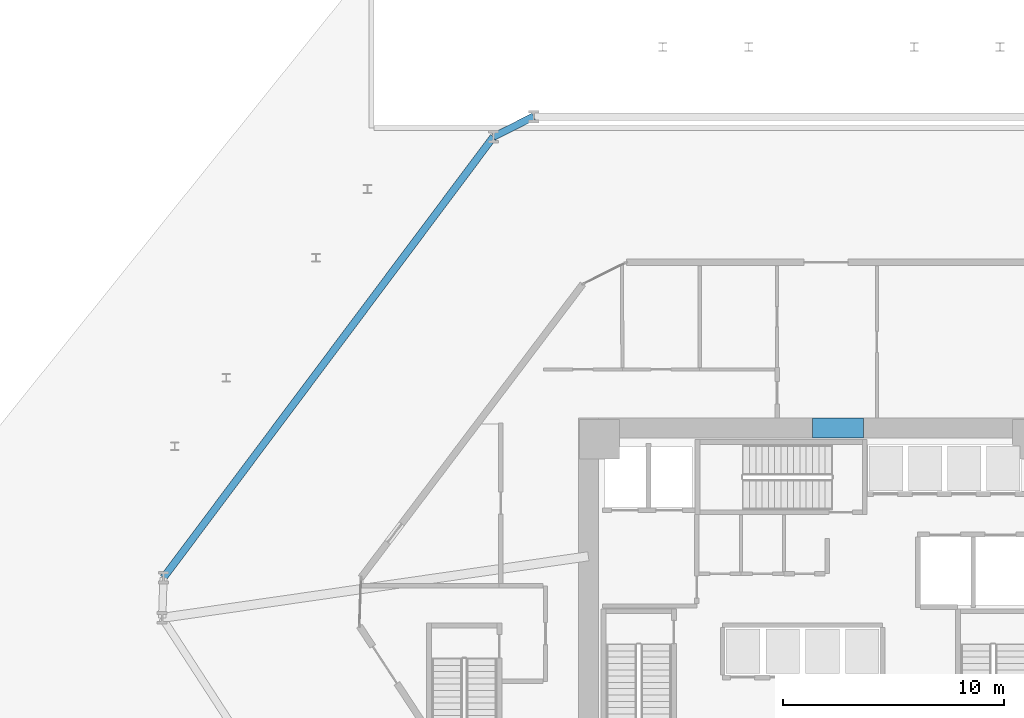
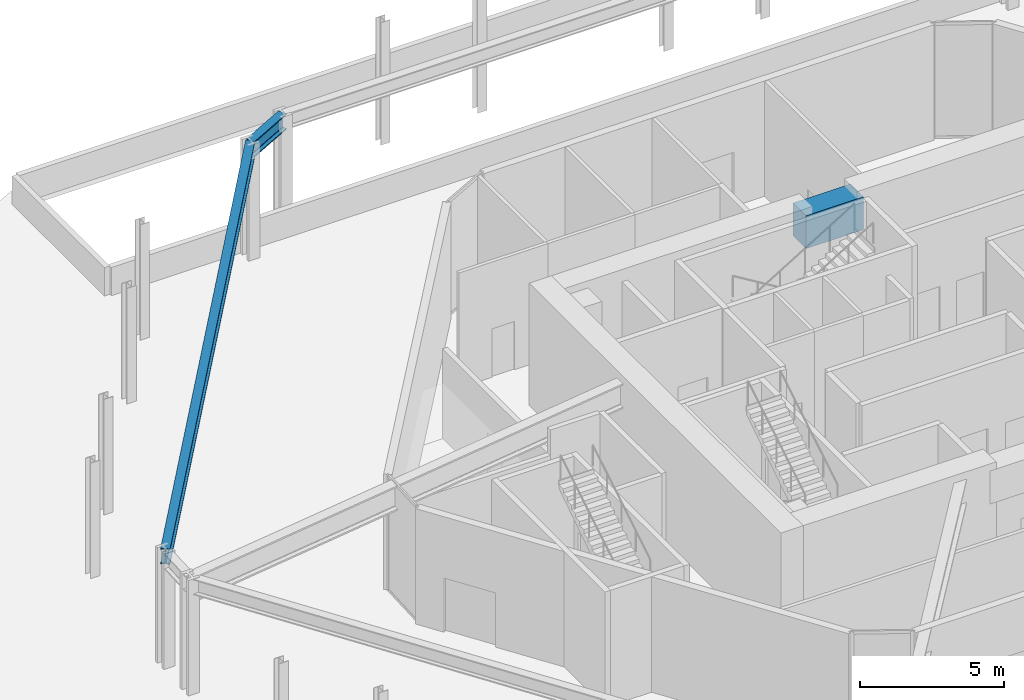
# One storey, part 9 of 18: 3 beams.
"""IFC4 building model written with IfcOpenShell, lengths in metres."""

from ifc_helpers import new_model, si_unit, direction, frame, origin, origin_2d, place, context, subcontext, project, spatial, rectangle, i_section, extrude, source, transform, mapped, material, material_profile, profile_set, type_object, type_shapes, element, save


model = new_model("IFC4")

# Units and contexts
model_context = context("Model", 3, precision=1e-05, world=origin(), true_north=direction((0.0, 1.0)))
body_context = subcontext(model_context, "Body", "Model", "MODEL_VIEW")
ifc_project = project(units=[si_unit("LENGTHUNIT", "METRE"), si_unit("AREAUNIT", "SQUARE_METRE"), si_unit("VOLUMEUNIT", "CUBIC_METRE"), si_unit("PLANEANGLEUNIT", "RADIAN"), si_unit("MASSUNIT", "GRAM", prefix="KILO")], contexts=[model_context])

# Site, building, storey
site_placement = place(None, origin())
site = spatial("IfcSite", under=ifc_project, at=site_placement, CompositionType="ELEMENT")
building_placement = place(site_placement, origin())
building = spatial("IfcBuilding", under=site, at=building_placement, Name="Durnholm Broadcast Tower", CompositionType="ELEMENT")
storey_placement = place(building_placement, origin())
storey = spatial("IfcBuildingStorey", under=building, at=storey_placement, Name="L00", CompositionType="ELEMENT", Elevation=0.0)

# Beams
ifc_material_1 = material(Name="Steel ASTM A992 Grade 50", Category="steel")
ifc_material_profile_1 = material_profile(ifc_material_1, i_section(OverallWidth=0.3330078125, OverallDepth=0.660888671875, WebThickness=0.0244140625, FlangeThickness=0.0439453125, FilletRadius=0.02783203125, at=origin_2d()), Name="W24X229")
ifc_profile_set_1 = profile_set([ifc_material_profile_1], Name="Steel ASTM A992 Grade 50")
beam_type_1 = type_object("IfcBeamType", Name="STL-SP-W24X229", PredefinedType="SPANDREL", material=ifc_profile_set_1)
shared_shape_1 = source(origin(), body_context, "Body", "SweptSolid", [
    extrude(i_section(OverallWidth=0.3330078125, OverallDepth=0.660888671875, WebThickness=0.0244140625, FlangeThickness=0.0439453125, FilletRadius=0.02783203125, at=origin_2d()), origin(), (0.0, 0.0, 1.0), 24.926513671875),
])
beam_1_placement = place(storey_placement, frame((-29.529296875, 1.530517578125, 4.5546875), z_axis=(0.599153427318, 0.800634230178, 0.0), x_axis=(-0.800634230178, 0.599153427318, 0.0)))
element("IfcBeam", 1, at=beam_1_placement, inside=storey, type_object=beam_type_1, Name="L00 perimeter spandrel girder 03", PredefinedType="SPANDREL", context=body_context, shape_type="MappedRepresentation", body=[
    mapped(shared_shape_1, transform((0.0, 0.0, 0.0), x_axis=(1.0, 0.0, 0.0), y_axis=(0.0, 1.0, 0.0), z_axis=(0.0, 0.0, 1.0), scale=1.0)),
])
shared_shape_2 = source(origin(), body_context, "Body", "SweptSolid", [
    extrude(i_section(OverallWidth=0.3330078125, OverallDepth=0.660888671875, WebThickness=0.0244140625, FlangeThickness=0.0439453125, FilletRadius=0.02783203125, at=origin_2d()), origin(), (0.0, 0.0, 1.0), 2.0380859375),
])
type_shapes(beam_type_1, [shared_shape_1, shared_shape_2])
beam_2_placement = place(storey_placement, frame((-14.594482421875, 21.487548828125, 4.5546875), z_axis=(0.894211470078, 0.447644777452, 0.0), x_axis=(-0.447644777452, 0.894211470078, 0.0)))
element("IfcBeam", 2, at=beam_2_placement, inside=storey, type_object=beam_type_1, Name="L00 perimeter spandrel girder 04", PredefinedType="SPANDREL", context=body_context, shape_type="MappedRepresentation", body=[
    mapped(shared_shape_2, transform((0.0, 0.0, 0.0), x_axis=(1.0, 0.0, 0.0), y_axis=(0.0, 1.0, 0.0), z_axis=(0.0, 0.0, 1.0), scale=1.0)),
])
ifc_material_2 = material(Name="Concrete C70/85", Category="concrete")
ifc_material_profile_2 = material_profile(ifc_material_2, rectangle(XDim=0.89990234375, YDim=1.39990234375, at=origin_2d()), Name="RC900X1400")
ifc_profile_set_2 = profile_set([ifc_material_profile_2], Name="Concrete C70/85")
beam_type_2 = type_object("IfcBeamType", Name="BM-CB-RC1400", PredefinedType="LINTEL", material=ifc_profile_set_2)
shared_shape_3 = source(origin(), body_context, "Body", "SweptSolid", [
    extrude(rectangle(XDim=0.89990234375, YDim=1.39990234375, at=origin_2d()), origin(), (0.0, 0.0, 1.0), 2.2998046875),
])
type_shapes(beam_type_2, [shared_shape_3])
beam_3_placement = place(storey_placement, frame((-0.14990234375, 8.300048828125, 4.195068359375), z_axis=(1.0, 0.0, 0.0), x_axis=(0.0, 1.0, 0.0)))
element("IfcBeam", 3, at=beam_3_placement, inside=storey, type_object=beam_type_2, Name="L00 north core stair discharge coupling lintel beam CB-N", PredefinedType="LINTEL", context=body_context, shape_type="MappedRepresentation", body=[
    mapped(shared_shape_3, transform((0.0, 0.0, 0.0), x_axis=(1.0, 0.0, 0.0), y_axis=(0.0, 1.0, 0.0), z_axis=(0.0, 0.0, 1.0), scale=1.0)),
])

save(model, "model.ifc")
